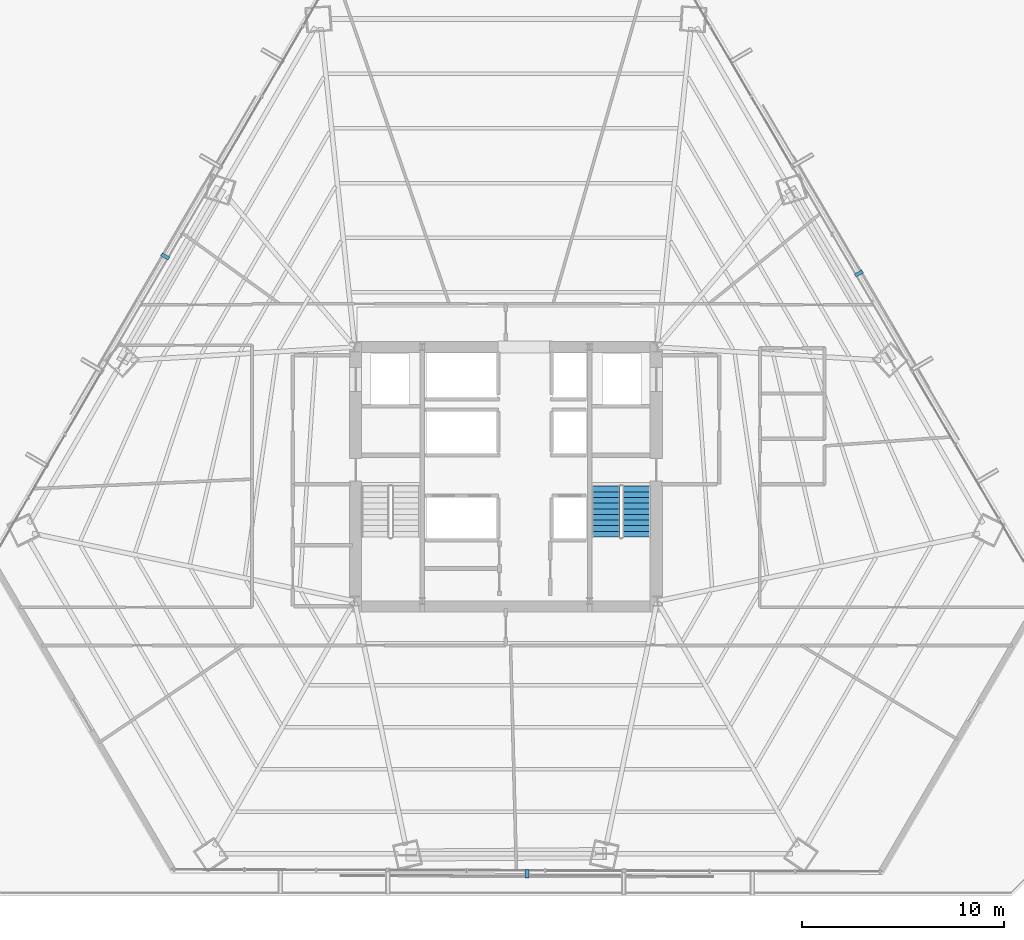
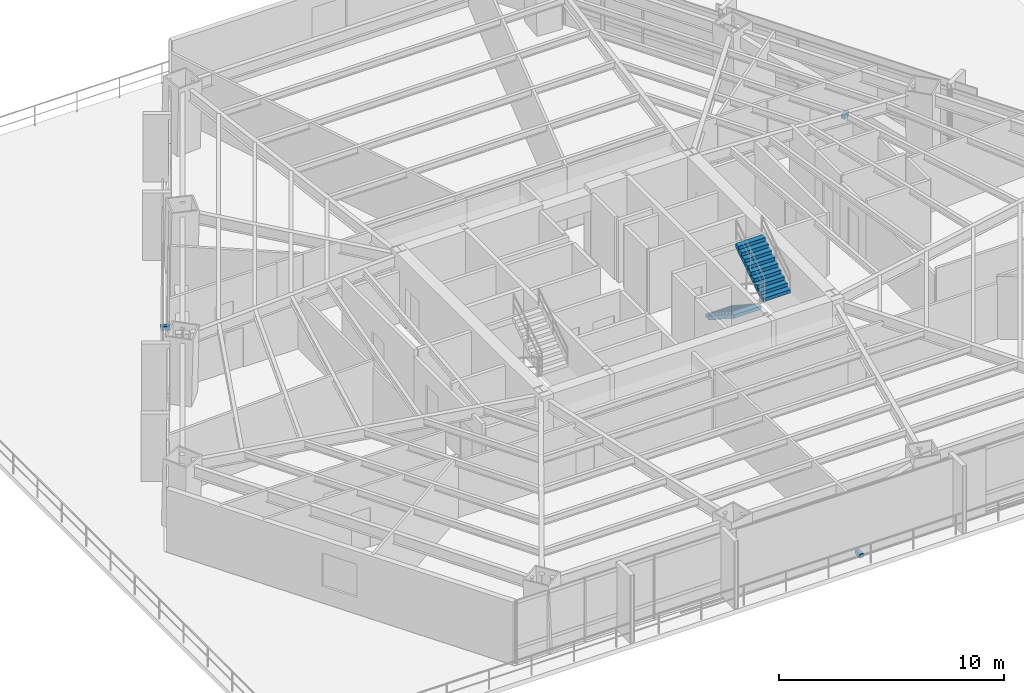
# One storey, part 31 of 35: 3 discrete accessories, 2 stair flights, 1 element without a shape of its own.
"""IFC4 building model written with IfcOpenShell, lengths in metres."""

from ifc_helpers import new_model, si_unit, direction, frame, origin, origin_2d, place, context, subcontext, project, spatial, polyline, rectangle, outline, extrude, source, transform, mapped, material, type_object, type_shapes, element, aggregate, save


model = new_model("IFC4")

# Units and contexts
model_context = context("Model", 3, precision=1e-05, world=origin(), true_north=direction((0.0, 1.0)))
body_context = subcontext(model_context, "Body", "Model", "MODEL_VIEW")
ifc_project = project(units=[si_unit("LENGTHUNIT", "METRE"), si_unit("AREAUNIT", "SQUARE_METRE"), si_unit("VOLUMEUNIT", "CUBIC_METRE"), si_unit("PLANEANGLEUNIT", "RADIAN"), si_unit("MASSUNIT", "GRAM", prefix="KILO")], contexts=[model_context])

# Site, building, storey
site_placement = place(None, origin())
site = spatial("IfcSite", under=ifc_project, at=site_placement, CompositionType="ELEMENT")
building_placement = place(site_placement, origin())
building = spatial("IfcBuilding", under=site, at=building_placement, Name="Caelisora Broadcast Tower", CompositionType="ELEMENT")
storey_placement = place(building_placement, frame((0.0, 0.0, 27.60009765625)))
storey = spatial("IfcBuildingStorey", under=building, at=storey_placement, Name="L06", CompositionType="ELEMENT", Elevation=27.60009765625)

# Stair, stair flights
ifc_material_1 = material(Name="Concrete 40 MPa (AS 3600 N40)", Category="concrete")
stair_type = type_object("IfcStairType", Name="ST-2", PredefinedType="HALF_TURN_STAIR", material=ifc_material_1)
stair_placement = place(storey_placement, origin())
stair = element("IfcStair", 1, at=stair_placement, inside=storey, type_object=stair_type, Name="L06 East Fire-Isolated Tower Stair", PredefinedType="HALF_TURN_STAIR")
stair_flight_type = type_object("IfcStairFlightType", Name="STF-2", PredefinedType="STRAIGHT", material=ifc_material_1)
stair_flight_1_placement = place(storey_placement, frame((42.9599609375, 23.10009765625, 0.0), z_axis=(0.0, 0.0, 1.0), x_axis=(0.0, -1.0, 0.0)))
stair_flight_1 = element("IfcStairFlight", 2, at=stair_flight_1_placement, type_object=stair_flight_type, Name="ST-2 flight 1", NumberOfRisers=10, NumberOfTreads=9, PredefinedType="STRAIGHT", RiserHeight=0.1825, TreadLength=0.28, context=body_context, shape_type="SweptSolid", body=[
    extrude(outline(polyline([(0.0, 0.0), (0.0, 0.1826171875), (0.280029296875, 0.1826171875), (0.280029296875, 0.364990234375), (0.56005859375, 0.364990234375), (0.56005859375, 0.547607421875), (0.840087890625, 0.547607421875), (0.840087890625, 0.72998046875), (1.1201171875, 0.72998046875), (1.1201171875, 0.91259765625), (1.39990234375, 0.91259765625), (1.39990234375, 1.094970703125), (1.679931640625, 1.094970703125), (1.679931640625, 1.277587890625), (1.9599609375, 1.277587890625), (1.9599609375, 1.4599609375), (2.239990234375, 1.4599609375), (2.239990234375, 1.642578125), (2.52001953125, 1.642578125), (2.52001953125, 1.824951171875), (2.52001953125, 1.463623046875), (0.2744140625, 0.0), (0.0, 0.0)])), frame((0.0, 0.699951171875, 0.0), z_axis=(0.0, -1.0, 0.0), x_axis=(1.0, 0.0, 0.0)), (0.0, 0.0, 1.0), 1.39990234375),
])
stair_flight_2_placement = place(storey_placement, frame((44.47998046875, 20.580078125, 1.824951171875), z_axis=(0.0, 0.0, 1.0), x_axis=(0.0, 1.0, 0.0)))
stair_flight_2 = element("IfcStairFlight", 3, at=stair_flight_2_placement, type_object=stair_flight_type, Name="ST-2 flight 2", NumberOfRisers=10, NumberOfTreads=9, PredefinedType="STRAIGHT", RiserHeight=0.1825, TreadLength=0.28, context=body_context, shape_type="SweptSolid", body=[
    extrude(outline(polyline([(0.0, 0.0), (0.0, 0.1826171875), (0.280029296875, 0.1826171875), (0.280029296875, 0.364990234375), (0.56005859375, 0.364990234375), (0.56005859375, 0.547607421875), (0.840087890625, 0.547607421875), (0.840087890625, 0.72998046875), (1.1201171875, 0.72998046875), (1.1201171875, 0.91259765625), (1.39990234375, 0.91259765625), (1.39990234375, 1.094970703125), (1.679931640625, 1.094970703125), (1.679931640625, 1.277587890625), (1.9599609375, 1.277587890625), (1.9599609375, 1.4599609375), (2.239990234375, 1.4599609375), (2.239990234375, 1.642578125), (2.52001953125, 1.642578125), (2.52001953125, 1.824951171875), (2.52001953125, 1.463623046875), (0.2744140625, 0.0), (0.0, 0.0)])), frame((0.0, 0.699951171875, 0.0), z_axis=(0.0, -1.0, 0.0), x_axis=(1.0, 0.0, 0.0)), (0.0, 0.0, 1.0), 1.39990234375),
])
aggregate(stair, [stair_flight_1, stair_flight_2])

# Discrete accessories
ifc_material_2 = material(Name="Steel Grade 350 (AS/NZS 3679.1)", Category="steel")
discrete_accessory_type = type_object("IfcDiscreteAccessoryType", Name="BRK-1", PredefinedType="BRACKET", material=ifc_material_2)
shared_shape = source(origin(), body_context, "Body", "SweptSolid", [
    extrude(rectangle(XDim=0.179931640625, YDim=0.419921875, at=origin_2d()), origin(), (0.0, 0.0, 1.0), 0.219970703125),
])
type_shapes(discrete_accessory_type, [shared_shape])
for number, where, z_axis, x_axis, name in (
    (4, (21.093017578125, 34.501953125, -0.16015625), (0.0, 0.0, 1.0), (-0.503321604797, -0.864099162217, 0.0), "L06 solar screen outrigger bracket #1"),
    (5, (39.0458984375, 3.87353515625, -0.16015625), (0.0, 0.0, 1.0), (0.9999961009, -0.002792523174, 0.0), "L06 solar screen outrigger bracket #2"),
    (6, (55.51123046875, 33.654052734375, -0.16015625), (0.0, 0.0, 1.0), (-0.505582083675, 0.862778509623, 0.0), "L06 solar screen outrigger bracket #3"),
):
    element("IfcDiscreteAccessory", number, at=place(storey_placement, frame(where, z_axis=z_axis, x_axis=x_axis)), inside=storey, type_object=discrete_accessory_type, Name=name, PredefinedType="BRACKET", context=body_context, shape_type="MappedRepresentation", body=[
        mapped(shared_shape, transform((0.0, 0.0, 0.0), scale=1.0)),
    ])

save(model, "model.ifc")
